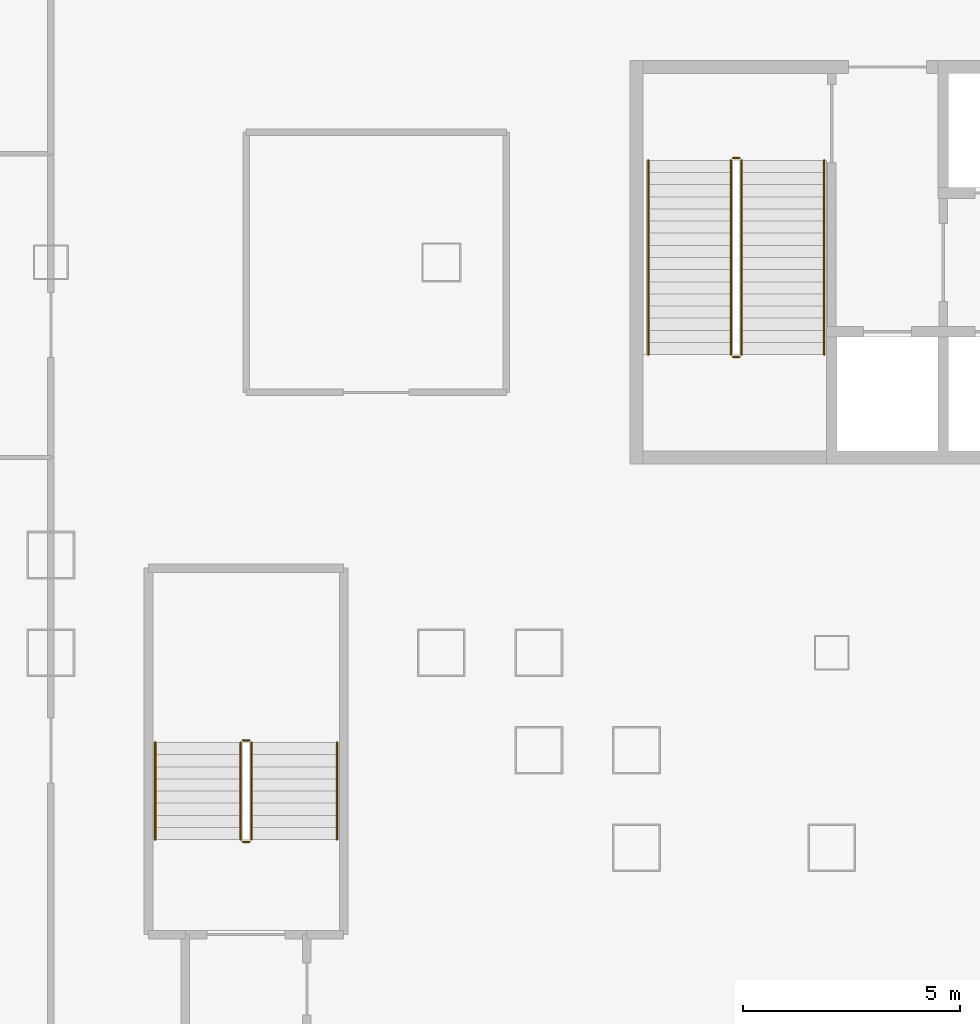
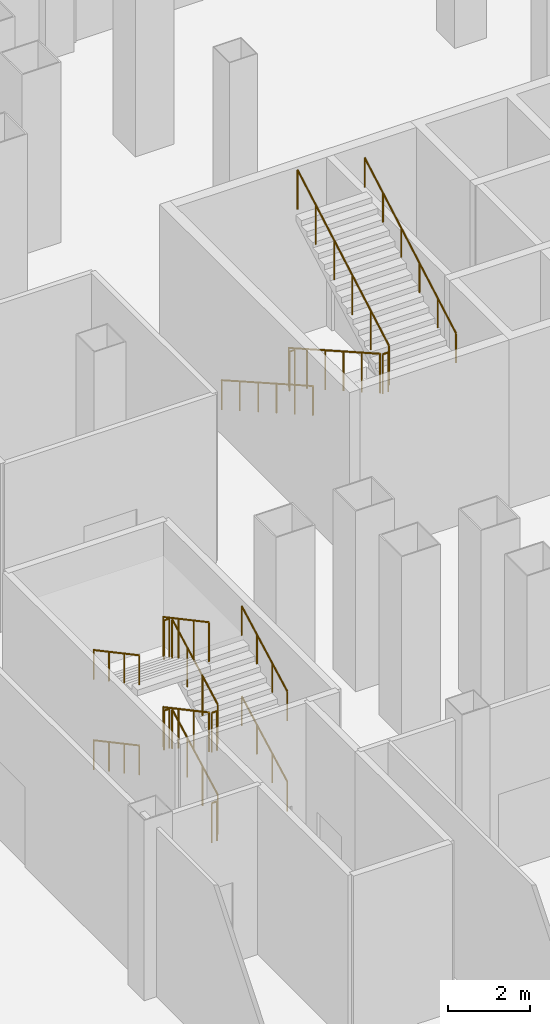
# One storey, part 23 of 27: 18 railings.
"""IFC4 building model written with IfcOpenShell, lengths in metres."""

from ifc_helpers import new_model, si_unit, direction, frame, origin, origin_2d, place, context, subcontext, project, spatial, circle, extrude, material, type_object, element, save


model = new_model("IFC4")

# Units and contexts
model_context = context("Model", 3, precision=1e-05, world=origin(), true_north=direction((0.0, 1.0)))
body_context = subcontext(model_context, "Body", "Model", "MODEL_VIEW")
ifc_project = project(units=[si_unit("LENGTHUNIT", "METRE"), si_unit("AREAUNIT", "SQUARE_METRE"), si_unit("VOLUMEUNIT", "CUBIC_METRE"), si_unit("PLANEANGLEUNIT", "RADIAN"), si_unit("MASSUNIT", "GRAM", prefix="KILO")], contexts=[model_context])

# Site, building, storey
site_placement = place(None, origin())
site = spatial("IfcSite", under=ifc_project, at=site_placement, CompositionType="ELEMENT")
building_placement = place(site_placement, origin())
building = spatial("IfcBuilding", under=site, at=building_placement, Name="Caravel Reach Hotel and Residences", CompositionType="ELEMENT")
storey_placement = place(building_placement, frame((0.0, 0.0, 6.60009765625)))
storey = spatial("IfcBuildingStorey", under=building, at=storey_placement, Name="L01", CompositionType="ELEMENT", Elevation=6.60009765625)

# Railings
ifc_material_1 = material(Name="Steel balustrade with glass infill", Category="steel")
railing_type_1 = type_object("IfcRailingType", Name="Guard 1200", PredefinedType="GUARDRAIL", material=ifc_material_1)
railing_1_placement = place(storey_placement, frame((20.175048828125, 29.35009765625, 0.15869140625)))
element("IfcRailing", 1, at=railing_1_placement, inside=storey, type_object=railing_type_1, Name="L01 ST-A stair guard 1", PredefinedType="GUARDRAIL", context=body_context, shape_type="SweptSolid", body=[
    extrude(circle(Radius=0.02392578125, at=origin_2d()), frame((0.0, 0.0, 1.17578125), z_axis=(0.0, -0.869805229919, 0.49339523914), x_axis=(1.0, 0.0, 0.0)), (0.0, 0.0, 1.0), 5.150634765625),
    extrude(circle(Radius=0.02099609375, at=origin_2d()), origin(), (0.0, 0.0, 1.0), 1.15185546875),
    extrude(circle(Radius=0.02099609375, at=origin_2d()), frame((0.0, -0.89599609375, 0.50830078125)), (0.0, 0.0, 1.0), 1.15185546875),
    extrude(circle(Radius=0.02099609375, at=origin_2d()), frame((0.0, -1.7919921875, 1.0166015625)), (0.0, 0.0, 1.0), 1.15185546875),
    extrude(circle(Radius=0.02099609375, at=origin_2d()), frame((0.0, -2.68798828125, 1.524658203125)), (0.0, 0.0, 1.0), 1.15185546875),
    extrude(circle(Radius=0.02099609375, at=origin_2d()), frame((0.0, -3.583984375, 2.032958984375)), (0.0, 0.0, 1.0), 1.15185546875),
    extrude(circle(Radius=0.02099609375, at=origin_2d()), frame((0.0, -4.47998046875, 2.541259765625)), (0.0, 0.0, 1.0), 1.15185546875),
])
railing_2_placement = place(storey_placement, frame((20.22509765625, 24.820068359375, 2.699951171875)))
element("IfcRailing", 2, at=railing_2_placement, inside=storey, type_object=railing_type_1, Name="L01 ST-A stair guard 2", PredefinedType="GUARDRAIL", context=body_context, shape_type="SweptSolid", body=[
    extrude(circle(Radius=0.02392578125, at=origin_2d()), frame((0.0, 0.0, 1.17578125), z_axis=(1.0, 0.0, 0.0), x_axis=(0.0, 1.0, 0.0)), (0.0, 0.0, 1.0), 0.14990234375),
    extrude(circle(Radius=0.02099609375, at=origin_2d()), origin(), (0.0, 0.0, 1.0), 1.15185546875),
    extrude(circle(Radius=0.02099609375, at=origin_2d()), frame((0.14990234375, 0.0, 0.0)), (0.0, 0.0, 1.0), 1.15185546875),
])
railing_3_placement = place(storey_placement, frame((20.425048828125, 24.8701171875, 2.858642578125)))
element("IfcRailing", 3, at=railing_3_placement, inside=storey, type_object=railing_type_1, Name="L01 ST-A stair guard 3", PredefinedType="GUARDRAIL", context=body_context, shape_type="SweptSolid", body=[
    extrude(circle(Radius=0.02392578125, at=origin_2d()), frame((0.0, 0.0, 1.17578125), z_axis=(0.0, 0.869805229919, 0.49339523914), x_axis=(-1.0, 0.0, 0.0)), (0.0, 0.0, 1.0), 5.150634765625),
    extrude(circle(Radius=0.02099609375, at=origin_2d()), origin(), (0.0, 0.0, 1.0), 1.15185546875),
    extrude(circle(Radius=0.02099609375, at=origin_2d()), frame((0.0, 0.89599609375, 0.50830078125)), (0.0, 0.0, 1.0), 1.15185546875),
    extrude(circle(Radius=0.02099609375, at=origin_2d()), frame((0.0, 1.7919921875, 1.0166015625)), (0.0, 0.0, 1.0), 1.15185546875),
    extrude(circle(Radius=0.02099609375, at=origin_2d()), frame((0.0, 2.68798828125, 1.524658203125)), (0.0, 0.0, 1.0), 1.15185546875),
    extrude(circle(Radius=0.02099609375, at=origin_2d()), frame((0.0, 3.583984375, 2.032958984375)), (0.0, 0.0, 1.0), 1.15185546875),
    extrude(circle(Radius=0.02099609375, at=origin_2d()), frame((0.0, 4.47998046875, 2.541259765625)), (0.0, 0.0, 1.0), 1.15185546875),
])
railing_4_placement = place(storey_placement, frame((20.22509765625, 29.39990234375, 0.0)))
element("IfcRailing", 4, at=railing_4_placement, inside=storey, type_object=railing_type_1, Name="L01 ST-A stair guard 4", PredefinedType="GUARDRAIL", context=body_context, shape_type="SweptSolid", body=[
    extrude(circle(Radius=0.02392578125, at=origin_2d()), frame((0.0, 0.0, 1.17578125), z_axis=(1.0, 0.0, 0.0), x_axis=(0.0, 1.0, 0.0)), (0.0, 0.0, 1.0), 0.14990234375),
    extrude(circle(Radius=0.02099609375, at=origin_2d()), origin(), (0.0, 0.0, 1.0), 1.15185546875),
    extrude(circle(Radius=0.02099609375, at=origin_2d()), frame((0.14990234375, 0.0, 0.0)), (0.0, 0.0, 1.0), 1.15185546875),
])
railing_5_placement = place(storey_placement, frame((9.125, 13.68994140625, 0.14990234375)))
element("IfcRailing", 5, at=railing_5_placement, inside=storey, type_object=railing_type_1, Name="L01 ST-P3 stair guard 1", PredefinedType="GUARDRAIL", context=body_context, shape_type="SweptSolid", body=[
    extrude(circle(Radius=0.02392578125, at=origin_2d()), frame((0.0, 0.0, 1.17578125), z_axis=(0.0, 0.881487111273, 0.472208081951), x_axis=(-1.0, 0.0, 0.0)), (0.0, 0.0, 1.0), 2.541259765625),
    extrude(circle(Radius=0.02099609375, at=origin_2d()), origin(), (0.0, 0.0, 1.0), 1.15185546875),
    extrude(circle(Radius=0.02099609375, at=origin_2d()), frame((0.0, 0.74658203125, 0.39990234375)), (0.0, 0.0, 1.0), 1.15185546875),
    extrude(circle(Radius=0.02099609375, at=origin_2d()), frame((0.0, 1.493408203125, 0.800048828125)), (0.0, 0.0, 1.0), 1.15185546875),
    extrude(circle(Radius=0.02099609375, at=origin_2d()), frame((0.0, 2.239990234375, 1.199951171875)), (0.0, 0.0, 1.0), 1.15185546875),
])
railing_6_placement = place(storey_placement, frame((9.074951171875, 15.97998046875, 1.349853515625)))
element("IfcRailing", 6, at=railing_6_placement, inside=storey, type_object=railing_type_1, Name="L01 ST-P3 stair guard 2", PredefinedType="GUARDRAIL", context=body_context, shape_type="SweptSolid", body=[
    extrude(circle(Radius=0.02392578125, at=origin_2d()), frame((0.0, 0.0, 1.17578125), z_axis=(-1.0, 0.0, 0.0), x_axis=(0.0, -1.0, 0.0)), (0.0, 0.0, 1.0), 0.14990234375),
    extrude(circle(Radius=0.02099609375, at=origin_2d()), origin(), (0.0, 0.0, 1.0), 1.15185546875),
    extrude(circle(Radius=0.02099609375, at=origin_2d()), frame((-0.14990234375, 0.0, 0.0)), (0.0, 0.0, 1.0), 1.15185546875),
])
railing_7_placement = place(storey_placement, frame((8.875, 15.929931640625, 1.5)))
element("IfcRailing", 7, at=railing_7_placement, inside=storey, type_object=railing_type_1, Name="L01 ST-P3 stair guard 3", PredefinedType="GUARDRAIL", context=body_context, shape_type="SweptSolid", body=[
    extrude(circle(Radius=0.02392578125, at=origin_2d()), frame((0.0, 0.0, 1.17578125), z_axis=(0.0, -0.881487111273, 0.472208081951), x_axis=(1.0, 0.0, 0.0)), (0.0, 0.0, 1.0), 2.541259765625),
    extrude(circle(Radius=0.02099609375, at=origin_2d()), origin(), (0.0, 0.0, 1.0), 1.15185546875),
    extrude(circle(Radius=0.02099609375, at=origin_2d()), frame((0.0, -0.74658203125, 0.39990234375)), (0.0, 0.0, 1.0), 1.15185546875),
    extrude(circle(Radius=0.02099609375, at=origin_2d()), frame((0.0, -1.493408203125, 0.800048828125)), (0.0, 0.0, 1.0), 1.15185546875),
    extrude(circle(Radius=0.02099609375, at=origin_2d()), frame((0.0, -2.239990234375, 1.199951171875)), (0.0, 0.0, 1.0), 1.15185546875),
])
railing_8_placement = place(storey_placement, frame((9.074951171875, 13.639892578125, 2.699951171875)))
element("IfcRailing", 8, at=railing_8_placement, inside=storey, type_object=railing_type_1, Name="L01 ST-P3 stair guard 4", PredefinedType="GUARDRAIL", context=body_context, shape_type="SweptSolid", body=[
    extrude(circle(Radius=0.02392578125, at=origin_2d()), frame((0.0, 0.0, 1.17578125), z_axis=(-1.0, 0.0, 0.0), x_axis=(0.0, -1.0, 0.0)), (0.0, 0.0, 1.0), 0.14990234375),
    extrude(circle(Radius=0.02099609375, at=origin_2d()), origin(), (0.0, 0.0, 1.0), 1.15185546875),
    extrude(circle(Radius=0.02099609375, at=origin_2d()), frame((-0.14990234375, 0.0, 0.0)), (0.0, 0.0, 1.0), 1.15185546875),
])
railing_9_placement = place(storey_placement, frame((9.125, 13.68994140625, 2.849853515625)))
element("IfcRailing", 9, at=railing_9_placement, inside=storey, type_object=railing_type_1, Name="L01 ST-P3 stair guard 5", PredefinedType="GUARDRAIL", context=body_context, shape_type="SweptSolid", body=[
    extrude(circle(Radius=0.02392578125, at=origin_2d()), frame((0.0, 0.0, 1.17578125), z_axis=(0.0, 0.881487111273, 0.472208081951), x_axis=(-1.0, 0.0, 0.0)), (0.0, 0.0, 1.0), 2.541259765625),
    extrude(circle(Radius=0.02099609375, at=origin_2d()), origin(), (0.0, 0.0, 1.0), 1.15185546875),
    extrude(circle(Radius=0.02099609375, at=origin_2d()), frame((0.0, 0.74658203125, 0.39990234375)), (0.0, 0.0, 1.0), 1.15185546875),
    extrude(circle(Radius=0.02099609375, at=origin_2d()), frame((0.0, 1.493408203125, 0.800048828125)), (0.0, 0.0, 1.0), 1.15185546875),
    extrude(circle(Radius=0.02099609375, at=origin_2d()), frame((0.0, 2.239990234375, 1.199951171875)), (0.0, 0.0, 1.0), 1.15185546875),
])
railing_10_placement = place(storey_placement, frame((9.074951171875, 15.97998046875, 4.0498046875)))
element("IfcRailing", 10, at=railing_10_placement, inside=storey, type_object=railing_type_1, Name="L01 ST-P3 stair guard 6", PredefinedType="GUARDRAIL", context=body_context, shape_type="SweptSolid", body=[
    extrude(circle(Radius=0.02392578125, at=origin_2d()), frame((0.0, 0.0, 1.17578125), z_axis=(-1.0, 0.0, 0.0), x_axis=(0.0, -1.0, 0.0)), (0.0, 0.0, 1.0), 0.14990234375),
    extrude(circle(Radius=0.02099609375, at=origin_2d()), origin(), (0.0, 0.0, 1.0), 1.15185546875),
    extrude(circle(Radius=0.02099609375, at=origin_2d()), frame((-0.14990234375, 0.0, 0.0)), (0.0, 0.0, 1.0), 1.15185546875),
])
railing_11_placement = place(storey_placement, frame((8.875, 15.929931640625, 4.199951171875)))
element("IfcRailing", 11, at=railing_11_placement, inside=storey, type_object=railing_type_1, Name="L01 ST-P3 stair guard 7", PredefinedType="GUARDRAIL", context=body_context, shape_type="SweptSolid", body=[
    extrude(circle(Radius=0.02392578125, at=origin_2d()), frame((0.0, 0.0, 1.17578125), z_axis=(0.0, -0.881487111273, 0.472208081951), x_axis=(1.0, 0.0, 0.0)), (0.0, 0.0, 1.0), 2.541259765625),
    extrude(circle(Radius=0.02099609375, at=origin_2d()), origin(), (0.0, 0.0, 1.0), 1.15185546875),
    extrude(circle(Radius=0.02099609375, at=origin_2d()), frame((0.0, -0.74658203125, 0.39990234375)), (0.0, 0.0, 1.0), 1.15185546875),
    extrude(circle(Radius=0.02099609375, at=origin_2d()), frame((0.0, -1.493408203125, 0.800048828125)), (0.0, 0.0, 1.0), 1.15185546875),
    extrude(circle(Radius=0.02099609375, at=origin_2d()), frame((0.0, -2.239990234375, 1.199951171875)), (0.0, 0.0, 1.0), 1.15185546875),
])
railing_12_placement = place(storey_placement, frame((9.074951171875, 13.639892578125, 0.0)))
element("IfcRailing", 12, at=railing_12_placement, inside=storey, type_object=railing_type_1, Name="L01 ST-P3 stair guard 8", PredefinedType="GUARDRAIL", context=body_context, shape_type="SweptSolid", body=[
    extrude(circle(Radius=0.02392578125, at=origin_2d()), frame((0.0, 0.0, 1.17578125), z_axis=(-1.0, 0.0, 0.0), x_axis=(0.0, -1.0, 0.0)), (0.0, 0.0, 1.0), 0.14990234375),
    extrude(circle(Radius=0.02099609375, at=origin_2d()), origin(), (0.0, 0.0, 1.0), 1.15185546875),
    extrude(circle(Radius=0.02099609375, at=origin_2d()), frame((-0.14990234375, 0.0, 0.0)), (0.0, 0.0, 1.0), 1.15185546875),
])
ifc_material_2 = material(Name="Stainless steel handrail", Category="steel")
railing_type_2 = type_object("IfcRailingType", Name="Handrail 900", PredefinedType="HANDRAIL", material=ifc_material_2)
railing_13_placement = place(storey_placement, frame((18.27490234375, 29.35009765625, 0.15869140625)))
element("IfcRailing", 13, at=railing_13_placement, inside=storey, type_object=railing_type_2, Name="L01 ST-A stair handrail 1", PredefinedType="HANDRAIL", context=body_context, shape_type="SweptSolid", body=[
    extrude(circle(Radius=0.02392578125, at=origin_2d()), frame((0.0, 0.0, 0.8759765625), z_axis=(0.0, -0.869805229919, 0.49339523914), x_axis=(1.0, 0.0, 0.0)), (0.0, 0.0, 1.0), 5.150634765625),
    extrude(circle(Radius=0.02099609375, at=origin_2d()), origin(), (0.0, 0.0, 1.0), 0.851806640625),
    extrude(circle(Radius=0.02099609375, at=origin_2d()), frame((0.0, -0.89599609375, 0.50830078125)), (0.0, 0.0, 1.0), 0.851806640625),
    extrude(circle(Radius=0.02099609375, at=origin_2d()), frame((0.0, -1.7919921875, 1.0166015625)), (0.0, 0.0, 1.0), 0.851806640625),
    extrude(circle(Radius=0.02099609375, at=origin_2d()), frame((0.0, -2.68798828125, 1.524658203125)), (0.0, 0.0, 1.0), 0.851806640625),
    extrude(circle(Radius=0.02099609375, at=origin_2d()), frame((0.0, -3.583984375, 2.032958984375)), (0.0, 0.0, 1.0), 0.851806640625),
    extrude(circle(Radius=0.02099609375, at=origin_2d()), frame((0.0, -4.47998046875, 2.541259765625)), (0.0, 0.0, 1.0), 0.851806640625),
])
railing_14_placement = place(storey_placement, frame((22.324951171875, 24.8701171875, 2.858642578125)))
element("IfcRailing", 14, at=railing_14_placement, inside=storey, type_object=railing_type_2, Name="L01 ST-A stair handrail 2", PredefinedType="HANDRAIL", context=body_context, shape_type="SweptSolid", body=[
    extrude(circle(Radius=0.02392578125, at=origin_2d()), frame((0.0, 0.0, 0.8759765625), z_axis=(0.0, 0.869805229919, 0.49339523914), x_axis=(-1.0, 0.0, 0.0)), (0.0, 0.0, 1.0), 5.150634765625),
    extrude(circle(Radius=0.02099609375, at=origin_2d()), origin(), (0.0, 0.0, 1.0), 0.851806640625),
    extrude(circle(Radius=0.02099609375, at=origin_2d()), frame((0.0, 0.89599609375, 0.50830078125)), (0.0, 0.0, 1.0), 0.851806640625),
    extrude(circle(Radius=0.02099609375, at=origin_2d()), frame((0.0, 1.7919921875, 1.0166015625)), (0.0, 0.0, 1.0), 0.851806640625),
    extrude(circle(Radius=0.02099609375, at=origin_2d()), frame((0.0, 2.68798828125, 1.524658203125)), (0.0, 0.0, 1.0), 0.851806640625),
    extrude(circle(Radius=0.02099609375, at=origin_2d()), frame((0.0, 3.583984375, 2.032958984375)), (0.0, 0.0, 1.0), 0.851806640625),
    extrude(circle(Radius=0.02099609375, at=origin_2d()), frame((0.0, 4.47998046875, 2.541259765625)), (0.0, 0.0, 1.0), 0.851806640625),
])
railing_15_placement = place(storey_placement, frame((11.094970703125, 13.68994140625, 0.14990234375)))
element("IfcRailing", 15, at=railing_15_placement, inside=storey, type_object=railing_type_2, Name="L01 ST-P3 stair handrail 1", PredefinedType="HANDRAIL", context=body_context, shape_type="SweptSolid", body=[
    extrude(circle(Radius=0.02392578125, at=origin_2d()), frame((0.0, 0.0, 0.8759765625), z_axis=(0.0, 0.881487111273, 0.472208081951), x_axis=(-1.0, 0.0, 0.0)), (0.0, 0.0, 1.0), 2.541259765625),
    extrude(circle(Radius=0.02099609375, at=origin_2d()), origin(), (0.0, 0.0, 1.0), 0.851806640625),
    extrude(circle(Radius=0.02099609375, at=origin_2d()), frame((0.0, 0.74658203125, 0.39990234375)), (0.0, 0.0, 1.0), 0.851806640625),
    extrude(circle(Radius=0.02099609375, at=origin_2d()), frame((0.0, 1.493408203125, 0.800048828125)), (0.0, 0.0, 1.0), 0.851806640625),
    extrude(circle(Radius=0.02099609375, at=origin_2d()), frame((0.0, 2.239990234375, 1.199951171875)), (0.0, 0.0, 1.0), 0.851806640625),
])
railing_16_placement = place(storey_placement, frame((6.905029296875, 15.929931640625, 1.5)))
element("IfcRailing", 16, at=railing_16_placement, inside=storey, type_object=railing_type_2, Name="L01 ST-P3 stair handrail 2", PredefinedType="HANDRAIL", context=body_context, shape_type="SweptSolid", body=[
    extrude(circle(Radius=0.02392578125, at=origin_2d()), frame((0.0, 0.0, 0.8759765625), z_axis=(0.0, -0.881487111273, 0.472208081951), x_axis=(1.0, 0.0, 0.0)), (0.0, 0.0, 1.0), 2.541259765625),
    extrude(circle(Radius=0.02099609375, at=origin_2d()), origin(), (0.0, 0.0, 1.0), 0.851806640625),
    extrude(circle(Radius=0.02099609375, at=origin_2d()), frame((0.0, -0.74658203125, 0.39990234375)), (0.0, 0.0, 1.0), 0.851806640625),
    extrude(circle(Radius=0.02099609375, at=origin_2d()), frame((0.0, -1.493408203125, 0.800048828125)), (0.0, 0.0, 1.0), 0.851806640625),
    extrude(circle(Radius=0.02099609375, at=origin_2d()), frame((0.0, -2.239990234375, 1.199951171875)), (0.0, 0.0, 1.0), 0.851806640625),
])
railing_17_placement = place(storey_placement, frame((11.094970703125, 13.68994140625, 2.849853515625)))
element("IfcRailing", 17, at=railing_17_placement, inside=storey, type_object=railing_type_2, Name="L01 ST-P3 stair handrail 3", PredefinedType="HANDRAIL", context=body_context, shape_type="SweptSolid", body=[
    extrude(circle(Radius=0.02392578125, at=origin_2d()), frame((0.0, 0.0, 0.8759765625), z_axis=(0.0, 0.881487111273, 0.472208081951), x_axis=(-1.0, 0.0, 0.0)), (0.0, 0.0, 1.0), 2.541259765625),
    extrude(circle(Radius=0.02099609375, at=origin_2d()), origin(), (0.0, 0.0, 1.0), 0.851806640625),
    extrude(circle(Radius=0.02099609375, at=origin_2d()), frame((0.0, 0.74658203125, 0.39990234375)), (0.0, 0.0, 1.0), 0.851806640625),
    extrude(circle(Radius=0.02099609375, at=origin_2d()), frame((0.0, 1.493408203125, 0.800048828125)), (0.0, 0.0, 1.0), 0.851806640625),
    extrude(circle(Radius=0.02099609375, at=origin_2d()), frame((0.0, 2.239990234375, 1.199951171875)), (0.0, 0.0, 1.0), 0.851806640625),
])
railing_18_placement = place(storey_placement, frame((6.905029296875, 15.929931640625, 4.199951171875)))
element("IfcRailing", 18, at=railing_18_placement, inside=storey, type_object=railing_type_2, Name="L01 ST-P3 stair handrail 4", PredefinedType="HANDRAIL", context=body_context, shape_type="SweptSolid", body=[
    extrude(circle(Radius=0.02392578125, at=origin_2d()), frame((0.0, 0.0, 0.8759765625), z_axis=(0.0, -0.881487111273, 0.472208081951), x_axis=(1.0, 0.0, 0.0)), (0.0, 0.0, 1.0), 2.541259765625),
    extrude(circle(Radius=0.02099609375, at=origin_2d()), origin(), (0.0, 0.0, 1.0), 0.851806640625),
    extrude(circle(Radius=0.02099609375, at=origin_2d()), frame((0.0, -0.74658203125, 0.39990234375)), (0.0, 0.0, 1.0), 0.851806640625),
    extrude(circle(Radius=0.02099609375, at=origin_2d()), frame((0.0, -1.493408203125, 0.800048828125)), (0.0, 0.0, 1.0), 0.851806640625),
    extrude(circle(Radius=0.02099609375, at=origin_2d()), frame((0.0, -2.239990234375, 1.199951171875)), (0.0, 0.0, 1.0), 0.851806640625),
])

save(model, "model.ifc")
